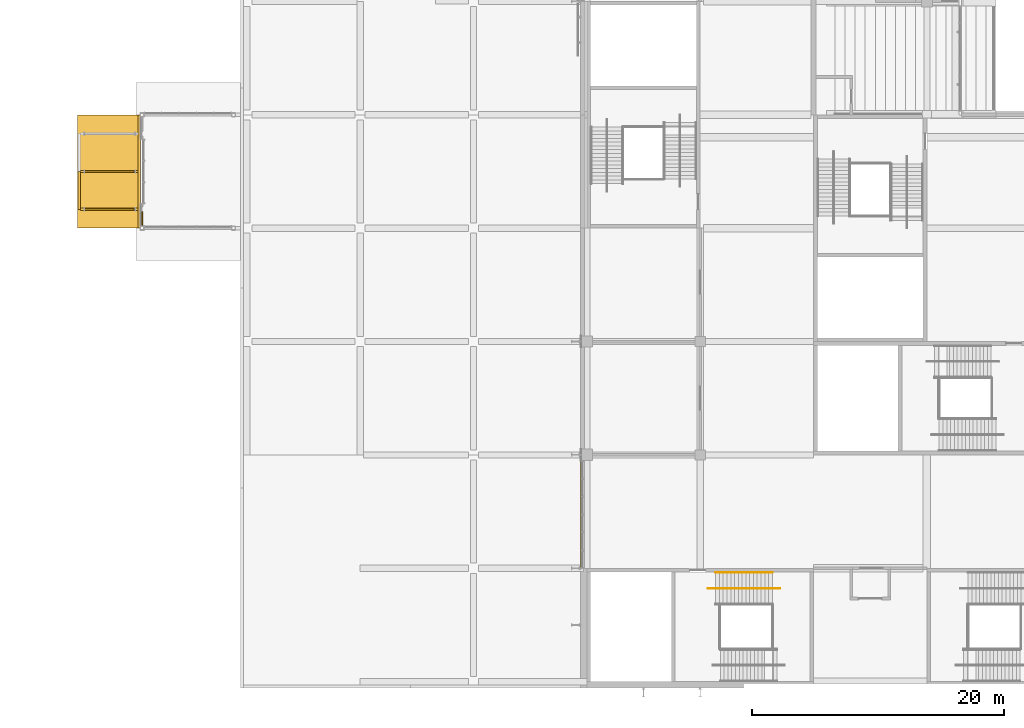
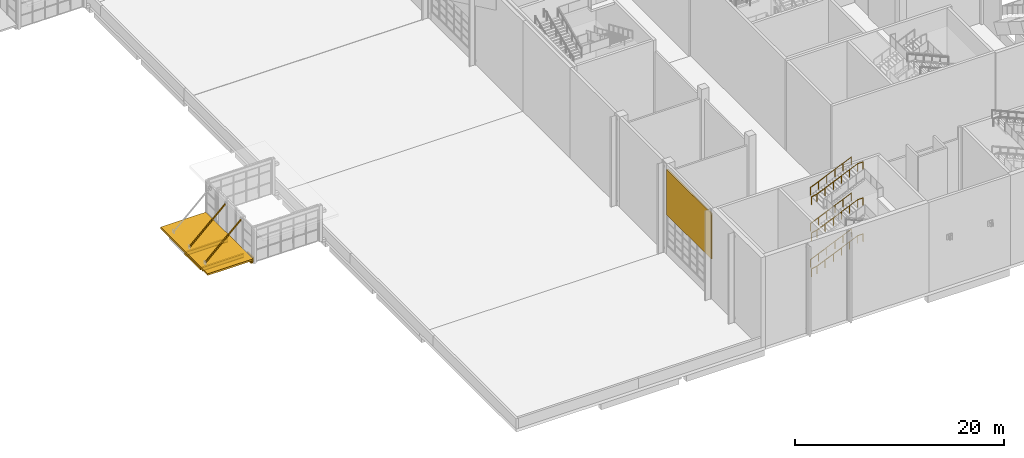
# One storey, part 138 of 182: 7 shading devices, 6 railings, 2 coverings.
"""IFC4 building model written with IfcOpenShell, lengths in metres."""

from ifc_helpers import new_model, si_unit, direction, frame, origin, origin_2d, place, context, subcontext, project, spatial, polyline, rectangle, hollow_rectangle, circle, i_section, outline, extrude, material, layer, layer_set, material_profile, profile_set, type_object, element, save


model = new_model("IFC4")

# Units and contexts
model_context = context("Model", 3, precision=1e-05, world=origin(), true_north=direction((0.0, 1.0)))
body_context = subcontext(model_context, "Body", "Model", "MODEL_VIEW")
ifc_project = project(units=[si_unit("LENGTHUNIT", "METRE"), si_unit("AREAUNIT", "SQUARE_METRE"), si_unit("VOLUMEUNIT", "CUBIC_METRE"), si_unit("PLANEANGLEUNIT", "RADIAN"), si_unit("MASSUNIT", "GRAM", prefix="KILO")], contexts=[model_context])

# Site, building, storey
site_placement = place(None, origin())
site = spatial("IfcSite", under=ifc_project, at=site_placement, CompositionType="ELEMENT")
building_placement = place(site_placement, origin())
building = spatial("IfcBuilding", under=site, at=building_placement, Name="Silverbay Arena", CompositionType="ELEMENT")
storey_placement = place(building_placement, frame((0.0, 0.0, 11.5)))
storey = spatial("IfcBuildingStorey", under=building, at=storey_placement, Name="L02", CompositionType="ELEMENT", Elevation=11.5)

# Covering
ifc_material_1 = material(Name="Aluminium composite cladding", Category="aluminium")
ifc_layer_1 = layer(ifc_material_1, 0.10009765625)
ifc_layer_set_1 = layer_set([ifc_layer_1], Name="Aluminium composite cladding")
covering_type_1 = type_object("IfcCoveringType", Name="Canopy band cladding 100", PredefinedType="CLADDING", material=ifc_layer_set_1)
covering_1_placement = place(storey_placement, origin())
element("IfcCovering", 1, at=covering_1_placement, inside=storey, type_object=covering_type_1, Name="Canopy band cladding", PredefinedType="CLADDING", context=body_context, shape_type="SweptSolid", body=[
    extrude(outline(polyline([(18.64990234375, 54.14990234375), (18.75, 54.14990234375), (18.75, 55.300048828125), (18.64990234375, 55.300048828125), (18.64990234375, 54.14990234375)])), origin(), (0.0, 0.0, 1.0), 0.5),
])

# Shading devices
ifc_material_2 = material(Name="Steel S355", Category="steel")
ifc_material_profile_1 = material_profile(ifc_material_2, i_section(OverallWidth=0.18994140625, OverallDepth=0.453369140625, WebThickness=0.008544921875, FlangeThickness=0.0126953125, at=origin_2d()), Name="UB 457x191x67")
ifc_profile_set_1 = profile_set([ifc_material_profile_1], Name="Steel S355")
shading_device_type_1 = type_object("IfcShadingDeviceType", Name="Canopy beam UB 457x191x67", PredefinedType="USERDEFINED", material=ifc_profile_set_1)
for number, where, z_axis, x_axis, name in (
    (2, (18.35009765625, 55.5, 0.0732421875), (-1.0, 0.0, 0.0), (0.0, -1.0, 0.0), "West entrance hall W0 canopy beam 1"),
    (3, (18.35009765625, 58.5, 0.0732421875), (-1.0, 0.0, 0.0), (0.0, -1.0, 0.0), "West entrance hall W0 canopy beam 2"),
):
    element("IfcShadingDevice", number, at=place(storey_placement, frame(where, z_axis=z_axis, x_axis=x_axis)), inside=storey, type_object=shading_device_type_1, Name=name, ObjectType="CANOPY FRAME", PredefinedType="USERDEFINED", context=body_context, shape_type="SweptSolid", body=[
        extrude(i_section(OverallWidth=0.18994140625, OverallDepth=0.453369140625, WebThickness=0.008544921875, FlangeThickness=0.0126953125, at=origin_2d()), origin(), (0.0, 0.0, 1.0), 4.550048828125),
    ])
ifc_material_3 = material(Name="Steel S355", Category="steel")
ifc_material_profile_2 = material_profile(ifc_material_3, hollow_rectangle(XDim=0.199951171875, YDim=0.300048828125, WallThickness=0.008056640625, at=origin_2d()), Name="RHS 300x200x8")
ifc_profile_set_2 = profile_set([ifc_material_profile_2], Name="Steel S355")
shading_device_type_2 = type_object("IfcShadingDeviceType", Name="Canopy edge beam RHS 300x200x8", PredefinedType="USERDEFINED", material=ifc_profile_set_2)
shading_device_1_placement = place(storey_placement, frame((13.699951171875, 55.5, 0.14990234375), z_axis=(0.0, 1.0, 0.0), x_axis=(-1.0, 0.0, 0.0)))
element("IfcShadingDevice", 4, at=shading_device_1_placement, inside=storey, type_object=shading_device_type_2, Name="West entrance hall W0 canopy edge beam 1", ObjectType="CANOPY FRAME", PredefinedType="USERDEFINED", context=body_context, shape_type="SweptSolid", body=[
    extrude(hollow_rectangle(XDim=0.199951171875, YDim=0.300048828125, WallThickness=0.008056640625, at=origin_2d()), origin(), (0.0, 0.0, 1.0), 3.0),
])
ifc_material_4 = material(Name="Steel S355", Category="steel")
shading_device_type_3 = type_object("IfcShadingDeviceType", Name="Canopy plate 200", PredefinedType="AWNING", material=ifc_material_4)
shading_device_2_placement = place(storey_placement, frame((16.050048828125, 58.5, 0.2998046875), z_axis=(0.0, 0.0, 1.0), x_axis=(1.0, 0.0, 0.0)))
element("IfcShadingDevice", 5, at=shading_device_2_placement, inside=storey, type_object=shading_device_type_3, Name="West entrance hall W0 canopy", PredefinedType="AWNING", context=body_context, shape_type="SweptSolid", body=[
    extrude(rectangle(XDim=5.0, YDim=9.0, at=origin_2d()), origin(), (0.0, 0.0, 1.0), 0.199951171875),
])
ifc_material_5 = material(Name="Steel S355", Category="steel")
ifc_material_profile_3 = material_profile(ifc_material_5, hollow_rectangle(XDim=0.199951171875, YDim=0.300048828125, WallThickness=0.008056640625, at=origin_2d()), Name="RHS 300x200x8")
ifc_profile_set_3 = profile_set([ifc_material_profile_3], Name="Steel S355")
shading_device_type_4 = type_object("IfcShadingDeviceType", Name="Canopy rail RHS 300x200x8", PredefinedType="USERDEFINED", material=ifc_profile_set_3)
shading_device_3_placement = place(storey_placement, frame((18.449951171875, 54.0, 0.14990234375), z_axis=(0.0, 1.0, 0.0), x_axis=(-1.0, 0.0, 0.0)))
element("IfcShadingDevice", 6, at=shading_device_3_placement, inside=storey, type_object=shading_device_type_4, Name="West entrance hall W0 canopy rail 1", ObjectType="CANOPY FRAME", PredefinedType="USERDEFINED", context=body_context, shape_type="SweptSolid", body=[
    extrude(hollow_rectangle(XDim=0.199951171875, YDim=0.300048828125, WallThickness=0.008056640625, at=origin_2d()), origin(), (0.0, 0.0, 1.0), 9.0),
])
ifc_material_6 = material(Name="Steel S355", Category="steel")
ifc_material_profile_4 = material_profile(ifc_material_6, hollow_rectangle(XDim=0.1201171875, YDim=0.1201171875, WallThickness=0.00634765625, at=origin_2d()), Name="SHS 120x120x6.3")
ifc_profile_set_4 = profile_set([ifc_material_profile_4], Name="Steel S355")
shading_device_type_5 = type_object("IfcShadingDeviceType", Name="Canopy tie SHS 120x120x6.3", PredefinedType="USERDEFINED", material=ifc_profile_set_4)
for number, where, z_axis, x_axis, name in (
    (7, (18.10009765625, 55.5, 4.35009765625), (-0.734450066869, 0.0, -0.678662728663), (0.0, -1.0, 0.0), "West entrance hall W0 canopy tie 1"),
    (8, (18.10009765625, 58.5, 4.35009765625), (-0.734450066869, 0.0, -0.678662728663), (0.0, -1.0, 0.0), "West entrance hall W0 canopy tie 2"),
):
    element("IfcShadingDevice", number, at=place(storey_placement, frame(where, z_axis=z_axis, x_axis=x_axis)), inside=storey, type_object=shading_device_type_5, Name=name, ObjectType="CANOPY FRAME", PredefinedType="USERDEFINED", context=body_context, shape_type="SweptSolid", body=[
        extrude(hollow_rectangle(XDim=0.1201171875, YDim=0.1201171875, WallThickness=0.00634765625, at=origin_2d()), origin(), (0.0, 0.0, 1.0), 5.37841796875),
    ])

# Covering
ifc_material_7 = material(Name="Aluminium composite cladding", Category="aluminium")
ifc_layer_2 = layer(ifc_material_7, 0.14990234375)
ifc_layer_set_2 = layer_set([ifc_layer_2], Name="Aluminium composite cladding")
covering_type_2 = type_object("IfcCoveringType", Name="Facade cladding panel 150", PredefinedType="CLADDING", material=ifc_layer_set_2)
covering_2_placement = place(storey_placement, frame((0.0, 0.0, 4.60009765625)))
element("IfcCovering", 9, at=covering_2_placement, inside=storey, type_object=covering_type_2, Name="West facade cladding L02 bay 2", PredefinedType="CLADDING", context=body_context, shape_type="SweptSolid", body=[
    extrude(outline(polyline([(53.5, 27.0), (53.64990234375, 27.0), (53.64990234375, 35.550048828125), (53.5, 35.550048828125), (53.5, 27.0)])), origin(), (0.0, 0.0, 1.0), 5.2998046875),
])

# Railings
ifc_material_8 = material(Name="Stainless steel", Category="steel")
railing_type = type_object("IfcRailingType", Name="Stair handrail 900", PredefinedType="HANDRAIL", material=ifc_material_8)
railing_1_placement = place(storey_placement, frame((64.225830078125, 26.64990234375, 0.13134765625)))
element("IfcRailing", 10, at=railing_1_placement, inside=storey, type_object=railing_type, Name="Stair ST-S5 L02 to L03 flight 1 handrail left", PredefinedType="HANDRAIL", context=body_context, shape_type="SweptSolid", body=[
    extrude(circle(Radius=0.02392578125, at=origin_2d()), frame((0.0, 0.0, 0.8759765625), z_axis=(0.916157334902, 0.0, 0.40081883402), x_axis=(0.0, 1.0, 0.0)), (0.0, 0.0, 1.0), 4.911865234375),
    extrude(circle(Radius=0.02099609375, at=origin_2d()), origin(), (0.0, 0.0, 1.0), 0.851806640625),
    extrude(circle(Radius=0.02099609375, at=origin_2d()), frame((0.89990234375, 0.0, 0.393798828125)), (0.0, 0.0, 1.0), 0.851806640625),
    extrude(circle(Radius=0.02099609375, at=origin_2d()), frame((1.800048828125, 0.0, 0.78759765625)), (0.0, 0.0, 1.0), 0.851806640625),
    extrude(circle(Radius=0.02099609375, at=origin_2d()), frame((2.699951171875, 0.0, 1.18115234375)), (0.0, 0.0, 1.0), 0.851806640625),
    extrude(circle(Radius=0.02099609375, at=origin_2d()), frame((3.60009765625, 0.0, 1.574951171875)), (0.0, 0.0, 1.0), 0.851806640625),
    extrude(circle(Radius=0.02099609375, at=origin_2d()), frame((4.5, 0.0, 1.96875)), (0.0, 0.0, 1.0), 0.851806640625),
])
railing_2_placement = place(storey_placement, frame((63.625732421875, 25.39990234375, 0.0)))
element("IfcRailing", 11, at=railing_2_placement, inside=storey, type_object=railing_type, Name="Stair ST-S5 L02 to L03 flight 1 central handrail", PredefinedType="HANDRAIL", context=body_context, shape_type="SweptSolid", body=[
    extrude(circle(Radius=0.02392578125, at=origin_2d()), frame((0.0, 0.0, 0.8759765625), z_axis=(0.976874083041, 0.0, 0.213815401414), x_axis=(0.0, 1.0, 0.0)), (0.0, 0.0, 1.0), 0.6142578125),
    extrude(circle(Radius=0.02392578125, at=origin_2d()), frame((0.60009765625, 0.0, 1.00732421875), z_axis=(0.916157334902, 0.0, 0.40081883402), x_axis=(0.0, 1.0, 0.0)), (0.0, 0.0, 1.0), 4.911865234375),
    extrude(circle(Radius=0.02392578125, at=origin_2d()), frame((5.10009765625, 0.0, 2.97607421875), z_axis=(1.0, 0.0, 0.0), x_axis=(0.0, 1.0, 0.0)), (0.0, 0.0, 1.0), 0.599853515625),
    extrude(circle(Radius=0.02099609375, at=origin_2d()), origin(), (0.0, 0.0, 1.0), 0.851806640625),
    extrude(circle(Radius=0.02099609375, at=origin_2d()), frame((0.60009765625, 0.0, 0.13134765625)), (0.0, 0.0, 1.0), 0.851806640625),
    extrude(circle(Radius=0.02099609375, at=origin_2d()), frame((1.5, 0.0, 0.525146484375)), (0.0, 0.0, 1.0), 0.851806640625),
    extrude(circle(Radius=0.02099609375, at=origin_2d()), frame((2.400146484375, 0.0, 0.9189453125)), (0.0, 0.0, 1.0), 0.851806640625),
    extrude(circle(Radius=0.02099609375, at=origin_2d()), frame((3.300048828125, 0.0, 1.3125)), (0.0, 0.0, 1.0), 0.851806640625),
    extrude(circle(Radius=0.02099609375, at=origin_2d()), frame((4.2001953125, 0.0, 1.706298828125)), (0.0, 0.0, 1.0), 0.851806640625),
    extrude(circle(Radius=0.02099609375, at=origin_2d()), frame((5.10009765625, 0.0, 2.10009765625)), (0.0, 0.0, 1.0), 0.851806640625),
    extrude(circle(Radius=0.02099609375, at=origin_2d()), frame((5.699951171875, 0.0, 2.10009765625)), (0.0, 0.0, 1.0), 0.851806640625),
])
railing_3_placement = place(storey_placement, frame((64.225830078125, 26.64990234375, 4.331298828125)))
element("IfcRailing", 12, at=railing_3_placement, inside=storey, type_object=railing_type, Name="Stair ST-S5 L02 to L03 flight 3 handrail left", PredefinedType="HANDRAIL", context=body_context, shape_type="SweptSolid", body=[
    extrude(circle(Radius=0.02392578125, at=origin_2d()), frame((0.0, 0.0, 0.8759765625), z_axis=(0.916157334902, 0.0, 0.40081883402), x_axis=(0.0, 1.0, 0.0)), (0.0, 0.0, 1.0), 4.911865234375),
    extrude(circle(Radius=0.02099609375, at=origin_2d()), origin(), (0.0, 0.0, 1.0), 0.851806640625),
    extrude(circle(Radius=0.02099609375, at=origin_2d()), frame((0.89990234375, 0.0, 0.393798828125)), (0.0, 0.0, 1.0), 0.851806640625),
    extrude(circle(Radius=0.02099609375, at=origin_2d()), frame((1.800048828125, 0.0, 0.78759765625)), (0.0, 0.0, 1.0), 0.851806640625),
    extrude(circle(Radius=0.02099609375, at=origin_2d()), frame((2.699951171875, 0.0, 1.18115234375)), (0.0, 0.0, 1.0), 0.851806640625),
    extrude(circle(Radius=0.02099609375, at=origin_2d()), frame((3.60009765625, 0.0, 1.574951171875)), (0.0, 0.0, 1.0), 0.851806640625),
    extrude(circle(Radius=0.02099609375, at=origin_2d()), frame((4.5, 0.0, 1.96875)), (0.0, 0.0, 1.0), 0.851806640625),
])
railing_4_placement = place(storey_placement, frame((63.625732421875, 25.39990234375, 4.199951171875)))
element("IfcRailing", 13, at=railing_4_placement, inside=storey, type_object=railing_type, Name="Stair ST-S5 L02 to L03 flight 3 central handrail", PredefinedType="HANDRAIL", context=body_context, shape_type="SweptSolid", body=[
    extrude(circle(Radius=0.02392578125, at=origin_2d()), frame((0.0, 0.0, 0.8759765625), z_axis=(0.976874083041, 0.0, 0.213815401414), x_axis=(0.0, 1.0, 0.0)), (0.0, 0.0, 1.0), 0.6142578125),
    extrude(circle(Radius=0.02392578125, at=origin_2d()), frame((0.60009765625, 0.0, 1.00732421875), z_axis=(0.916157334902, 0.0, 0.40081883402), x_axis=(0.0, 1.0, 0.0)), (0.0, 0.0, 1.0), 4.911865234375),
    extrude(circle(Radius=0.02392578125, at=origin_2d()), frame((5.10009765625, 0.0, 2.97607421875), z_axis=(1.0, 0.0, 0.0), x_axis=(0.0, 1.0, 0.0)), (0.0, 0.0, 1.0), 0.599853515625),
    extrude(circle(Radius=0.02099609375, at=origin_2d()), origin(), (0.0, 0.0, 1.0), 0.851806640625),
    extrude(circle(Radius=0.02099609375, at=origin_2d()), frame((0.60009765625, 0.0, 0.13134765625)), (0.0, 0.0, 1.0), 0.851806640625),
    extrude(circle(Radius=0.02099609375, at=origin_2d()), frame((1.5, 0.0, 0.525146484375)), (0.0, 0.0, 1.0), 0.851806640625),
    extrude(circle(Radius=0.02099609375, at=origin_2d()), frame((2.400146484375, 0.0, 0.9189453125)), (0.0, 0.0, 1.0), 0.851806640625),
    extrude(circle(Radius=0.02099609375, at=origin_2d()), frame((3.300048828125, 0.0, 1.3125)), (0.0, 0.0, 1.0), 0.851806640625),
    extrude(circle(Radius=0.02099609375, at=origin_2d()), frame((4.2001953125, 0.0, 1.706298828125)), (0.0, 0.0, 1.0), 0.851806640625),
    extrude(circle(Radius=0.02099609375, at=origin_2d()), frame((5.10009765625, 0.0, 2.10009765625)), (0.0, 0.0, 1.0), 0.851806640625),
    extrude(circle(Radius=0.02099609375, at=origin_2d()), frame((5.699951171875, 0.0, 2.10009765625)), (0.0, 0.0, 1.0), 0.851806640625),
])
railing_5_placement = place(storey_placement, frame((64.225830078125, 26.64990234375, 8.53125)))
element("IfcRailing", 14, at=railing_5_placement, inside=storey, type_object=railing_type, Name="Stair ST-S5 L02 to L03 flight 5 handrail left", PredefinedType="HANDRAIL", context=body_context, shape_type="SweptSolid", body=[
    extrude(circle(Radius=0.02392578125, at=origin_2d()), frame((0.0, 0.0, 0.8759765625), z_axis=(0.916157334902, 0.0, 0.40081883402), x_axis=(0.0, 1.0, 0.0)), (0.0, 0.0, 1.0), 4.911865234375),
    extrude(circle(Radius=0.02099609375, at=origin_2d()), origin(), (0.0, 0.0, 1.0), 0.851806640625),
    extrude(circle(Radius=0.02099609375, at=origin_2d()), frame((0.89990234375, 0.0, 0.393798828125)), (0.0, 0.0, 1.0), 0.851806640625),
    extrude(circle(Radius=0.02099609375, at=origin_2d()), frame((1.800048828125, 0.0, 0.78759765625)), (0.0, 0.0, 1.0), 0.851806640625),
    extrude(circle(Radius=0.02099609375, at=origin_2d()), frame((2.699951171875, 0.0, 1.18115234375)), (0.0, 0.0, 1.0), 0.851806640625),
    extrude(circle(Radius=0.02099609375, at=origin_2d()), frame((3.60009765625, 0.0, 1.574951171875)), (0.0, 0.0, 1.0), 0.851806640625),
    extrude(circle(Radius=0.02099609375, at=origin_2d()), frame((4.5, 0.0, 1.96875)), (0.0, 0.0, 1.0), 0.851806640625),
])
railing_6_placement = place(storey_placement, frame((63.625732421875, 25.39990234375, 8.39990234375)))
element("IfcRailing", 15, at=railing_6_placement, inside=storey, type_object=railing_type, Name="Stair ST-S5 L02 to L03 flight 5 central handrail", PredefinedType="HANDRAIL", context=body_context, shape_type="SweptSolid", body=[
    extrude(circle(Radius=0.02392578125, at=origin_2d()), frame((0.0, 0.0, 0.8759765625), z_axis=(0.976874083041, 0.0, 0.213815401414), x_axis=(0.0, 1.0, 0.0)), (0.0, 0.0, 1.0), 0.6142578125),
    extrude(circle(Radius=0.02392578125, at=origin_2d()), frame((0.60009765625, 0.0, 1.00732421875), z_axis=(0.916157334902, 0.0, 0.40081883402), x_axis=(0.0, 1.0, 0.0)), (0.0, 0.0, 1.0), 4.911865234375),
    extrude(circle(Radius=0.02392578125, at=origin_2d()), frame((5.10009765625, 0.0, 2.97607421875), z_axis=(1.0, 0.0, 0.0), x_axis=(0.0, 1.0, 0.0)), (0.0, 0.0, 1.0), 0.599853515625),
    extrude(circle(Radius=0.02099609375, at=origin_2d()), origin(), (0.0, 0.0, 1.0), 0.851806640625),
    extrude(circle(Radius=0.02099609375, at=origin_2d()), frame((0.60009765625, 0.0, 0.13134765625)), (0.0, 0.0, 1.0), 0.851806640625),
    extrude(circle(Radius=0.02099609375, at=origin_2d()), frame((1.5, 0.0, 0.525146484375)), (0.0, 0.0, 1.0), 0.851806640625),
    extrude(circle(Radius=0.02099609375, at=origin_2d()), frame((2.400146484375, 0.0, 0.9189453125)), (0.0, 0.0, 1.0), 0.851806640625),
    extrude(circle(Radius=0.02099609375, at=origin_2d()), frame((3.300048828125, 0.0, 1.3125)), (0.0, 0.0, 1.0), 0.851806640625),
    extrude(circle(Radius=0.02099609375, at=origin_2d()), frame((4.2001953125, 0.0, 1.706298828125)), (0.0, 0.0, 1.0), 0.851806640625),
    extrude(circle(Radius=0.02099609375, at=origin_2d()), frame((5.10009765625, 0.0, 2.10009765625)), (0.0, 0.0, 1.0), 0.851806640625),
    extrude(circle(Radius=0.02099609375, at=origin_2d()), frame((5.699951171875, 0.0, 2.10009765625)), (0.0, 0.0, 1.0), 0.851806640625),
])

save(model, "model.ifc")
